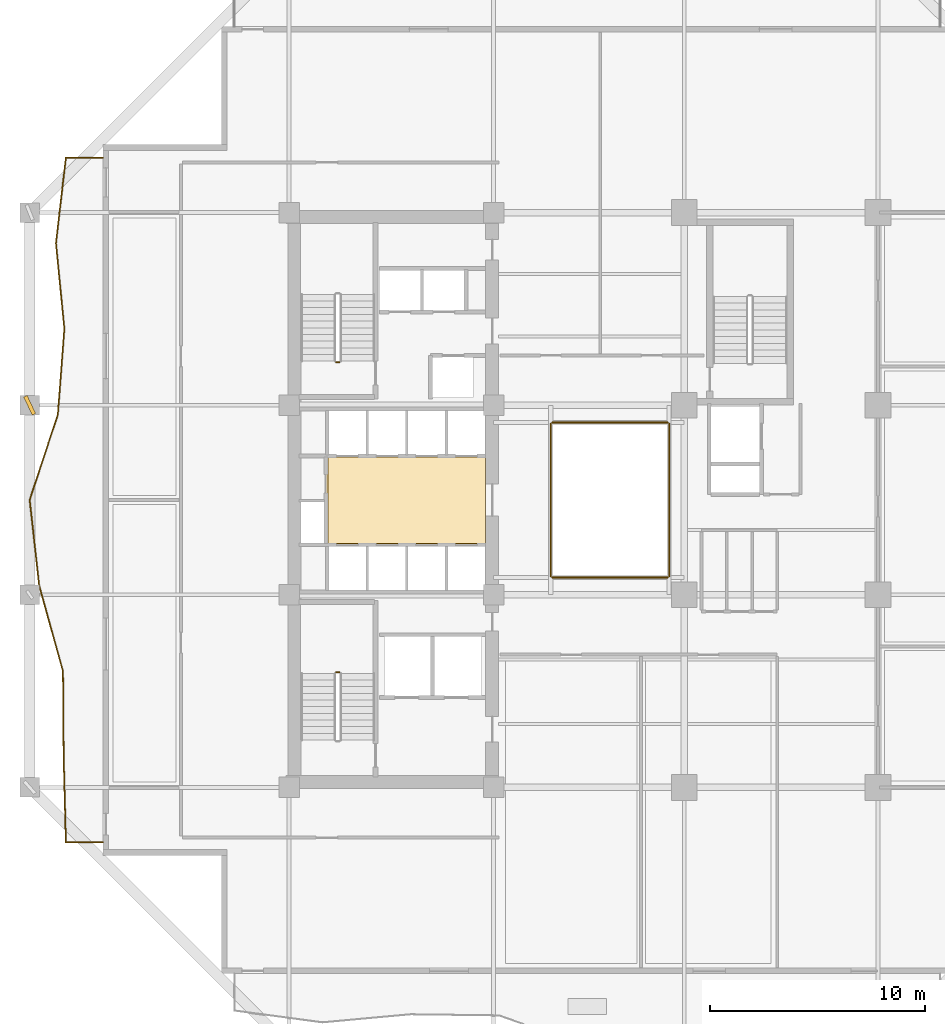
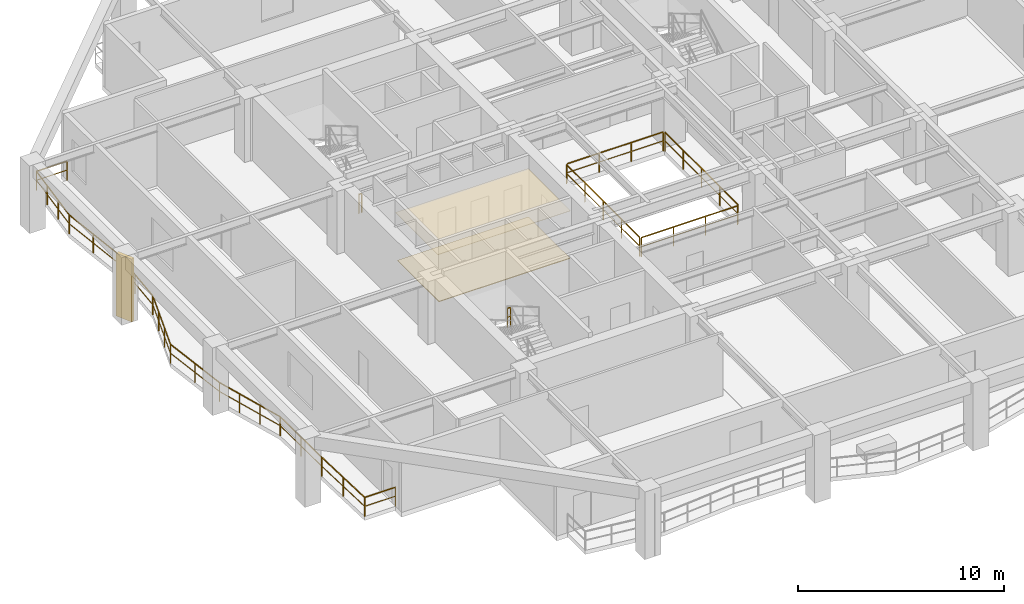
# One storey, part 8 of 12: 7 railings, 2 coverings, 1 shading device.
"""IFC4 building model written with IfcOpenShell, lengths in metres."""

from ifc_helpers import new_model, si_unit, direction, frame, origin, origin_2d, place, context, subcontext, project, spatial, polyline, rectangle, outline, extrude, material, layer, layer_set, type_object, element, save


model = new_model("IFC4")

# Units and contexts
model_context = context("Model", 3, precision=1e-05, world=origin(), true_north=direction((0.0, 1.0)))
body_context = subcontext(model_context, "Body", "Model", "MODEL_VIEW")
ifc_project = project(units=[si_unit("LENGTHUNIT", "METRE"), si_unit("AREAUNIT", "SQUARE_METRE"), si_unit("VOLUMEUNIT", "CUBIC_METRE"), si_unit("PLANEANGLEUNIT", "RADIAN"), si_unit("MASSUNIT", "GRAM", prefix="KILO")], contexts=[model_context])

# Site, building, storey
site_placement = place(None, origin())
site = spatial("IfcSite", under=ifc_project, at=site_placement, CompositionType="ELEMENT")
building_placement = place(site_placement, origin())
building = spatial("IfcBuilding", under=site, at=building_placement, Name="Kundavana Baori Tower", CompositionType="ELEMENT")
storey_placement = place(building_placement, frame((0.0, 0.0, 42.0)))
storey = spatial("IfcBuildingStorey", under=building, at=storey_placement, Name="L09", CompositionType="ELEMENT", Elevation=42.0)

# Coverings
ifc_material_1 = material(Name="Honed Kota Stone and Terrazzo Flooring", Category="masonry")
ifc_layer_1 = layer(ifc_material_1, 0.0400390625, Name="COV-FLR-TERR-40")
ifc_layer_set_1 = layer_set([ifc_layer_1], Name="Honed Kota Stone and Terrazzo Flooring")
covering_type_1 = type_object("IfcCoveringType", Name="COV-FLR-TERR-40", PredefinedType="FLOORING", material=ifc_layer_set_1)
covering_1_placement = place(storey_placement, origin())
element("IfcCovering", 1, at=covering_1_placement, inside=storey, type_object=covering_type_1, Name="L09 Core Lift Lobby Kota Stone Flooring", PredefinedType="FLOORING", context=body_context, shape_type="SweptSolid", body=[
    extrude(outline(polyline([(17.25, 26.580078125), (24.580078125, 26.580078125), (24.580078125, 30.60009765625), (17.25, 30.60009765625), (17.25, 26.580078125)])), origin(), (0.0, 0.0, 1.0), 0.0400390625),
])
ifc_material_2 = material(Name="Perforated Acoustic Mineral Fibre Ceiling Board")
ifc_layer_2 = layer(ifc_material_2, 0.02490234375, Name="COV-INT-CEIL")
ifc_layer_set_2 = layer_set([ifc_layer_2], Name="Perforated Acoustic Mineral Fibre Ceiling Board")
covering_type_2 = type_object("IfcCoveringType", Name="COV-INT-CEIL", PredefinedType="CEILING", material=ifc_layer_set_2)
covering_2_placement = place(storey_placement, frame((0.0, 0.0, 2.85009765625)))
element("IfcCovering", 2, at=covering_2_placement, inside=storey, type_object=covering_type_2, Name="L09 Core Lift Lobby Acoustic Ceiling", PredefinedType="CEILING", context=body_context, shape_type="SweptSolid", body=[
    extrude(outline(polyline([(17.159912109375, 26.52001953125), (24.580078125, 26.52001953125), (24.580078125, 30.639892578125), (17.159912109375, 30.639892578125), (17.159912109375, 26.52001953125)])), origin(), (0.0, 0.0, 1.0), 0.02490234375),
])

# Railings
ifc_material_3 = material(Name="Architectural Patinated Bronze Metalwork")
railing_type_1 = type_object("IfcRailingType", Name="RL-BAL-1150", PredefinedType="BALUSTRADE", material=ifc_material_3)
railing_1_placement = place(storey_placement, frame((6.800048828125, 12.699951171875, 0.0)))
element("IfcRailing", 3, at=railing_1_placement, inside=storey, type_object=railing_type_1, Name="L09 Loggia Balcony Balustrade W", PredefinedType="BALUSTRADE", context=body_context, shape_type="SweptSolid", body=[
    extrude(rectangle(XDim=0.048095703125, YDim=0.048095703125, at=origin_2d()), frame((0.0, 0.0, 1.1259765625), z_axis=(-1.0, 0.0, 0.0), x_axis=(0.0, -1.0, 0.0)), (0.0, 0.0, 1.0), 1.719970703125),
    extrude(rectangle(XDim=0.03125, YDim=0.03125, at=origin_2d()), frame((0.0, 0.0, 0.597900390625), z_axis=(-1.0, 0.0, 0.0), x_axis=(0.0, -1.0, 0.0)), (0.0, 0.0, 1.0), 1.719970703125),
    extrude(rectangle(XDim=0.048095703125, YDim=0.048095703125, at=origin_2d()), frame((-1.719970703125, 0.0, 1.1259765625), z_axis=(-0.026400326973, 0.999651450625, 0.0), x_axis=(-0.999651450625, -0.026400326973, 0.0)), (0.0, 0.0, 1.0), 3.9765625),
    extrude(rectangle(XDim=0.03125, YDim=0.03125, at=origin_2d()), frame((-1.719970703125, 0.0, 0.597900390625), z_axis=(-0.026400326973, 0.999651450625, 0.0), x_axis=(-0.999651450625, -0.026400326973, 0.0)), (0.0, 0.0, 1.0), 3.9765625),
    extrude(rectangle(XDim=0.048095703125, YDim=0.048095703125, at=origin_2d()), frame((-1.824951171875, 3.97509765625, 1.1259765625), z_axis=(-0.007800266343, 0.99996957746, 0.0), x_axis=(-0.99996957746, -0.007800266343, 0.0)), (0.0, 0.0, 1.0), 3.974853515625),
    extrude(rectangle(XDim=0.03125, YDim=0.03125, at=origin_2d()), frame((-1.824951171875, 3.97509765625, 0.597900390625), z_axis=(-0.007800266343, 0.99996957746, 0.0), x_axis=(-0.99996957746, -0.007800266343, 0.0)), (0.0, 0.0, 1.0), 3.974853515625),
    extrude(rectangle(XDim=0.048095703125, YDim=0.048095703125, at=origin_2d()), frame((-1.85595703125, 7.949951171875, 1.1259765625), z_axis=(-0.26782087218, 0.963468723117, 0.0), x_axis=(-0.963468723117, -0.26782087218, 0.0)), (0.0, 0.0, 1.0), 4.125732421875),
    extrude(rectangle(XDim=0.03125, YDim=0.03125, at=origin_2d()), frame((-1.85595703125, 7.949951171875, 0.597900390625), z_axis=(-0.26782087218, 0.963468723117, 0.0), x_axis=(-0.963468723117, -0.26782087218, 0.0)), (0.0, 0.0, 1.0), 4.125732421875),
    extrude(rectangle(XDim=0.048095703125, YDim=0.048095703125, at=origin_2d()), frame((-2.9609375, 11.925048828125, 1.1259765625), z_axis=(-0.109821789561, 0.993951293846, 0.0), x_axis=(-0.993951293846, -0.109821789561, 0.0)), (0.0, 0.0, 1.0), 3.999267578125),
    extrude(rectangle(XDim=0.03125, YDim=0.03125, at=origin_2d()), frame((-2.9609375, 11.925048828125, 0.597900390625), z_axis=(-0.109821789561, 0.993951293846, 0.0), x_axis=(-0.993951293846, -0.109821789561, 0.0)), (0.0, 0.0, 1.0), 3.999267578125),
    extrude(rectangle(XDim=0.048095703125, YDim=0.048095703125, at=origin_2d()), frame((-3.400146484375, 15.900146484375, 1.1259765625), z_axis=(0.312391762817, 0.949953360184, 0.0), x_axis=(-0.949953360184, 0.312391762817, 0.0)), (0.0, 0.0, 1.0), 4.184326171875),
    extrude(rectangle(XDim=0.03125, YDim=0.03125, at=origin_2d()), frame((-3.400146484375, 15.900146484375, 0.597900390625), z_axis=(0.312391762817, 0.949953360184, 0.0), x_axis=(-0.949953360184, 0.312391762817, 0.0)), (0.0, 0.0, 1.0), 4.184326171875),
    extrude(rectangle(XDim=0.048095703125, YDim=0.048095703125, at=origin_2d()), frame((-2.093017578125, 19.875, 1.1259765625), z_axis=(0.075511588968, 0.997144924237, 0.0), x_axis=(-0.997144924237, 0.075511588968, 0.0)), (0.0, 0.0, 1.0), 3.986572265625),
    extrude(rectangle(XDim=0.03125, YDim=0.03125, at=origin_2d()), frame((-2.093017578125, 19.875, 0.597900390625), z_axis=(0.075511588968, 0.997144924237, 0.0), x_axis=(-0.997144924237, 0.075511588968, 0.0)), (0.0, 0.0, 1.0), 3.986572265625),
    extrude(rectangle(XDim=0.048095703125, YDim=0.048095703125, at=origin_2d()), frame((-1.7919921875, 23.85009765625, 1.1259765625), z_axis=(-0.097439644298, 0.995241435893, 0.0), x_axis=(-0.995241435893, -0.097439644298, 0.0)), (0.0, 0.0, 1.0), 3.993896484375),
    extrude(rectangle(XDim=0.03125, YDim=0.03125, at=origin_2d()), frame((-1.7919921875, 23.85009765625, 0.597900390625), z_axis=(-0.097439644298, 0.995241435893, 0.0), x_axis=(-0.995241435893, -0.097439644298, 0.0)), (0.0, 0.0, 1.0), 3.993896484375),
    extrude(rectangle(XDim=0.048095703125, YDim=0.048095703125, at=origin_2d()), frame((-2.18115234375, 27.824951171875, 1.1259765625), z_axis=(0.115244678074, 0.993337135204, 0.0), x_axis=(-0.993337135204, 0.115244678074, 0.0)), (0.0, 0.0, 1.0), 4.001708984375),
    extrude(rectangle(XDim=0.03125, YDim=0.03125, at=origin_2d()), frame((-2.18115234375, 27.824951171875, 0.597900390625), z_axis=(0.115244678074, 0.993337135204, 0.0), x_axis=(-0.993337135204, 0.115244678074, 0.0)), (0.0, 0.0, 1.0), 4.001708984375),
    extrude(rectangle(XDim=0.048095703125, YDim=0.048095703125, at=origin_2d()), frame((-1.719970703125, 31.800048828125, 1.1259765625), z_axis=(1.0, 0.0, 0.0), x_axis=(0.0, 1.0, 0.0)), (0.0, 0.0, 1.0), 1.719970703125),
    extrude(rectangle(XDim=0.03125, YDim=0.03125, at=origin_2d()), frame((-1.719970703125, 31.800048828125, 0.597900390625), z_axis=(1.0, 0.0, 0.0), x_axis=(0.0, 1.0, 0.0)), (0.0, 0.0, 1.0), 1.719970703125),
    extrude(rectangle(XDim=0.0419921875, YDim=0.0419921875, at=origin_2d()), origin(), (0.0, 0.0, 1.0), 1.101806640625),
    extrude(rectangle(XDim=0.0419921875, YDim=0.0419921875, at=origin_2d()), frame((-1.719970703125, 0.0, 0.0)), (0.0, 0.0, 1.0), 1.101806640625),
    extrude(rectangle(XDim=0.0419921875, YDim=0.0419921875, at=origin_2d()), frame((-1.7724609375, 1.987548828125, 0.0)), (0.0, 0.0, 1.0), 1.101806640625),
    extrude(rectangle(XDim=0.0419921875, YDim=0.0419921875, at=origin_2d()), frame((-1.824951171875, 3.97509765625, 0.0)), (0.0, 0.0, 1.0), 1.101806640625),
    extrude(rectangle(XDim=0.0419921875, YDim=0.0419921875, at=origin_2d()), frame((-1.84033203125, 5.96240234375, 0.0)), (0.0, 0.0, 1.0), 1.101806640625),
    extrude(rectangle(XDim=0.0419921875, YDim=0.0419921875, at=origin_2d()), frame((-1.85595703125, 7.949951171875, 0.0)), (0.0, 0.0, 1.0), 1.101806640625),
    extrude(rectangle(XDim=0.0419921875, YDim=0.0419921875, at=origin_2d()), frame((-2.224365234375, 9.27490234375, 0.0)), (0.0, 0.0, 1.0), 1.101806640625),
    extrude(rectangle(XDim=0.0419921875, YDim=0.0419921875, at=origin_2d()), frame((-2.592529296875, 10.60009765625, 0.0)), (0.0, 0.0, 1.0), 1.101806640625),
    extrude(rectangle(XDim=0.0419921875, YDim=0.0419921875, at=origin_2d()), frame((-2.9609375, 11.925048828125, 0.0)), (0.0, 0.0, 1.0), 1.101806640625),
    extrude(rectangle(XDim=0.0419921875, YDim=0.0419921875, at=origin_2d()), frame((-3.1806640625, 13.91259765625, 0.0)), (0.0, 0.0, 1.0), 1.101806640625),
    extrude(rectangle(XDim=0.0419921875, YDim=0.0419921875, at=origin_2d()), frame((-3.400146484375, 15.900146484375, 0.0)), (0.0, 0.0, 1.0), 1.101806640625),
    extrude(rectangle(XDim=0.0419921875, YDim=0.0419921875, at=origin_2d()), frame((-2.96435546875, 17.22509765625, 0.0)), (0.0, 0.0, 1.0), 1.101806640625),
    extrude(rectangle(XDim=0.0419921875, YDim=0.0419921875, at=origin_2d()), frame((-2.52880859375, 18.550048828125, 0.0)), (0.0, 0.0, 1.0), 1.101806640625),
    extrude(rectangle(XDim=0.0419921875, YDim=0.0419921875, at=origin_2d()), frame((-2.093017578125, 19.875, 0.0)), (0.0, 0.0, 1.0), 1.101806640625),
    extrude(rectangle(XDim=0.0419921875, YDim=0.0419921875, at=origin_2d()), frame((-1.9423828125, 21.862548828125, 0.0)), (0.0, 0.0, 1.0), 1.101806640625),
    extrude(rectangle(XDim=0.0419921875, YDim=0.0419921875, at=origin_2d()), frame((-1.7919921875, 23.85009765625, 0.0)), (0.0, 0.0, 1.0), 1.101806640625),
    extrude(rectangle(XDim=0.0419921875, YDim=0.0419921875, at=origin_2d()), frame((-1.986572265625, 25.83740234375, 0.0)), (0.0, 0.0, 1.0), 1.101806640625),
    extrude(rectangle(XDim=0.0419921875, YDim=0.0419921875, at=origin_2d()), frame((-2.18115234375, 27.824951171875, 0.0)), (0.0, 0.0, 1.0), 1.101806640625),
    extrude(rectangle(XDim=0.0419921875, YDim=0.0419921875, at=origin_2d()), frame((-2.02734375, 29.14990234375, 0.0)), (0.0, 0.0, 1.0), 1.101806640625),
    extrude(rectangle(XDim=0.0419921875, YDim=0.0419921875, at=origin_2d()), frame((-1.873779296875, 30.47509765625, 0.0)), (0.0, 0.0, 1.0), 1.101806640625),
    extrude(rectangle(XDim=0.0419921875, YDim=0.0419921875, at=origin_2d()), frame((-1.719970703125, 31.800048828125, 0.0)), (0.0, 0.0, 1.0), 1.101806640625),
    extrude(rectangle(XDim=0.0419921875, YDim=0.0419921875, at=origin_2d()), frame((0.0, 31.800048828125, 0.0)), (0.0, 0.0, 1.0), 1.101806640625),
])
ifc_material_4 = material(Name="Architectural Patinated Bronze Metalwork")
railing_type_2 = type_object("IfcRailingType", Name="RL-GRD-1150", PredefinedType="GUARDRAIL", material=ifc_material_4)
for number, where, name in (
    (4, (17.7900390625, 20.60009765625, 2.0), "L09 ST1 stair guard 2"),
    (5, (17.7900390625, 35.0, 0.0), "L09 ST2 stair guard 4"),
):
    element("IfcRailing", number, at=place(storey_placement, frame(where)), inside=storey, type_object=railing_type_2, Name=name, PredefinedType="GUARDRAIL", context=body_context, shape_type="SweptSolid", body=[
        extrude(rectangle(XDim=0.048095703125, YDim=0.048095703125, at=origin_2d()), frame((0.0, 0.0, 1.1259765625), z_axis=(-1.0, 0.0, 0.0), x_axis=(0.0, -1.0, 0.0)), (0.0, 0.0, 1.0), 0.16015625),
        extrude(rectangle(XDim=0.03125, YDim=0.03125, at=origin_2d()), frame((0.0, 0.0, 0.597900390625), z_axis=(-1.0, 0.0, 0.0), x_axis=(0.0, -1.0, 0.0)), (0.0, 0.0, 1.0), 0.16015625),
        extrude(rectangle(XDim=0.0419921875, YDim=0.0419921875, at=origin_2d()), origin(), (0.0, 0.0, 1.0), 1.101806640625),
        extrude(rectangle(XDim=0.0419921875, YDim=0.0419921875, at=origin_2d()), frame((-0.16015625, 0.0, 0.0)), (0.0, 0.0, 1.0), 1.101806640625),
    ])
railing_2_placement = place(storey_placement, frame((27.659912109375, 25.0, 0.0)))
element("IfcRailing", 6, at=railing_2_placement, inside=storey, type_object=railing_type_2, Name="L09 Atrium Void Perimeter Guardrail S", PredefinedType="GUARDRAIL", context=body_context, shape_type="SweptSolid", body=[
    extrude(rectangle(XDim=0.048095703125, YDim=0.048095703125, at=origin_2d()), frame((0.0, 0.0, 1.1259765625), z_axis=(1.0, 0.0, 0.0), x_axis=(0.0, 1.0, 0.0)), (0.0, 0.0, 1.0), 5.380126953125),
    extrude(rectangle(XDim=0.03125, YDim=0.03125, at=origin_2d()), frame((0.0, 0.0, 0.597900390625), z_axis=(1.0, 0.0, 0.0), x_axis=(0.0, 1.0, 0.0)), (0.0, 0.0, 1.0), 5.380126953125),
    extrude(rectangle(XDim=0.0419921875, YDim=0.0419921875, at=origin_2d()), origin(), (0.0, 0.0, 1.0), 1.101806640625),
    extrude(rectangle(XDim=0.0419921875, YDim=0.0419921875, at=origin_2d()), frame((1.79345703125, 0.0, 0.0)), (0.0, 0.0, 1.0), 1.101806640625),
    extrude(rectangle(XDim=0.0419921875, YDim=0.0419921875, at=origin_2d()), frame((3.586669921875, 0.0, 0.0)), (0.0, 0.0, 1.0), 1.101806640625),
    extrude(rectangle(XDim=0.0419921875, YDim=0.0419921875, at=origin_2d()), frame((5.380126953125, 0.0, 0.0)), (0.0, 0.0, 1.0), 1.101806640625),
])
railing_3_placement = place(storey_placement, frame((33.10009765625, 25.06005859375, 0.0)))
element("IfcRailing", 7, at=railing_3_placement, inside=storey, type_object=railing_type_2, Name="L09 Atrium Void Perimeter Guardrail E", PredefinedType="GUARDRAIL", context=body_context, shape_type="SweptSolid", body=[
    extrude(rectangle(XDim=0.048095703125, YDim=0.048095703125, at=origin_2d()), frame((0.0, 0.0, 1.1259765625), z_axis=(0.0, 1.0, 0.0), x_axis=(-1.0, 0.0, 0.0)), (0.0, 0.0, 1.0), 7.079833984375),
    extrude(rectangle(XDim=0.03125, YDim=0.03125, at=origin_2d()), frame((0.0, 0.0, 0.597900390625), z_axis=(0.0, 1.0, 0.0), x_axis=(-1.0, 0.0, 0.0)), (0.0, 0.0, 1.0), 7.079833984375),
    extrude(rectangle(XDim=0.0419921875, YDim=0.0419921875, at=origin_2d()), origin(), (0.0, 0.0, 1.0), 1.101806640625),
    extrude(rectangle(XDim=0.0419921875, YDim=0.0419921875, at=origin_2d()), frame((0.0, 1.77001953125, 0.0)), (0.0, 0.0, 1.0), 1.101806640625),
    extrude(rectangle(XDim=0.0419921875, YDim=0.0419921875, at=origin_2d()), frame((0.0, 3.5400390625, 0.0)), (0.0, 0.0, 1.0), 1.101806640625),
    extrude(rectangle(XDim=0.0419921875, YDim=0.0419921875, at=origin_2d()), frame((0.0, 5.309814453125, 0.0)), (0.0, 0.0, 1.0), 1.101806640625),
    extrude(rectangle(XDim=0.0419921875, YDim=0.0419921875, at=origin_2d()), frame((0.0, 7.079833984375, 0.0)), (0.0, 0.0, 1.0), 1.101806640625),
])
railing_4_placement = place(storey_placement, frame((33.0400390625, 32.199951171875, 0.0)))
element("IfcRailing", 8, at=railing_4_placement, inside=storey, type_object=railing_type_2, Name="L09 Atrium Void Perimeter Guardrail N", PredefinedType="GUARDRAIL", context=body_context, shape_type="SweptSolid", body=[
    extrude(rectangle(XDim=0.048095703125, YDim=0.048095703125, at=origin_2d()), frame((0.0, 0.0, 1.1259765625), z_axis=(-1.0, 0.0, 0.0), x_axis=(0.0, -1.0, 0.0)), (0.0, 0.0, 1.0), 5.380126953125),
    extrude(rectangle(XDim=0.03125, YDim=0.03125, at=origin_2d()), frame((0.0, 0.0, 0.597900390625), z_axis=(-1.0, 0.0, 0.0), x_axis=(0.0, -1.0, 0.0)), (0.0, 0.0, 1.0), 5.380126953125),
    extrude(rectangle(XDim=0.0419921875, YDim=0.0419921875, at=origin_2d()), origin(), (0.0, 0.0, 1.0), 1.101806640625),
    extrude(rectangle(XDim=0.0419921875, YDim=0.0419921875, at=origin_2d()), frame((-1.79345703125, 0.0, 0.0)), (0.0, 0.0, 1.0), 1.101806640625),
    extrude(rectangle(XDim=0.0419921875, YDim=0.0419921875, at=origin_2d()), frame((-3.586669921875, 0.0, 0.0)), (0.0, 0.0, 1.0), 1.101806640625),
    extrude(rectangle(XDim=0.0419921875, YDim=0.0419921875, at=origin_2d()), frame((-5.380126953125, 0.0, 0.0)), (0.0, 0.0, 1.0), 1.101806640625),
])
railing_5_placement = place(storey_placement, frame((27.60009765625, 32.139892578125, 0.0)))
element("IfcRailing", 9, at=railing_5_placement, inside=storey, type_object=railing_type_2, Name="L09 Atrium Void Perimeter Guardrail W", PredefinedType="GUARDRAIL", context=body_context, shape_type="SweptSolid", body=[
    extrude(rectangle(XDim=0.048095703125, YDim=0.048095703125, at=origin_2d()), frame((0.0, 0.0, 1.1259765625), z_axis=(0.0, -1.0, 0.0), x_axis=(1.0, 0.0, 0.0)), (0.0, 0.0, 1.0), 7.079833984375),
    extrude(rectangle(XDim=0.03125, YDim=0.03125, at=origin_2d()), frame((0.0, 0.0, 0.597900390625), z_axis=(0.0, -1.0, 0.0), x_axis=(1.0, 0.0, 0.0)), (0.0, 0.0, 1.0), 7.079833984375),
    extrude(rectangle(XDim=0.0419921875, YDim=0.0419921875, at=origin_2d()), origin(), (0.0, 0.0, 1.0), 1.101806640625),
    extrude(rectangle(XDim=0.0419921875, YDim=0.0419921875, at=origin_2d()), frame((0.0, -1.77001953125, 0.0)), (0.0, 0.0, 1.0), 1.101806640625),
    extrude(rectangle(XDim=0.0419921875, YDim=0.0419921875, at=origin_2d()), frame((0.0, -3.5400390625, 0.0)), (0.0, 0.0, 1.0), 1.101806640625),
    extrude(rectangle(XDim=0.0419921875, YDim=0.0419921875, at=origin_2d()), frame((0.0, -5.309814453125, 0.0)), (0.0, 0.0, 1.0), 1.101806640625),
    extrude(rectangle(XDim=0.0419921875, YDim=0.0419921875, at=origin_2d()), frame((0.0, -7.079833984375, 0.0)), (0.0, 0.0, 1.0), 1.101806640625),
])

# Shading device
ifc_material_5 = material(Name="Red-Buff Dholpur Sandstone Cladding on Concrete C40/50", Category="masonry")
shading_device_type = type_object("IfcShadingDeviceType", Name="SHD-FIN-920", PredefinedType="JALOUSIE", material=ifc_material_5)
shading_device_placement = place(storey_placement, frame((3.39990234375, 33.0, 0.0), z_axis=(0.0, 0.0, 1.0), x_axis=(0.903559758936, 0.428462089374, 0.0)))
element("IfcShadingDevice", 10, at=shading_device_placement, inside=storey, type_object=shading_device_type, Name="L09 Sweeping Dholpur Sandstone Facade Fin 7", PredefinedType="JALOUSIE", context=body_context, shape_type="SweptSolid", body=[
    extrude(rectangle(XDim=0.179931640625, YDim=0.919921875, at=origin_2d()), origin(), (0.0, 0.0, 1.0), 3.719970703125),
])

save(model, "model.ifc")
